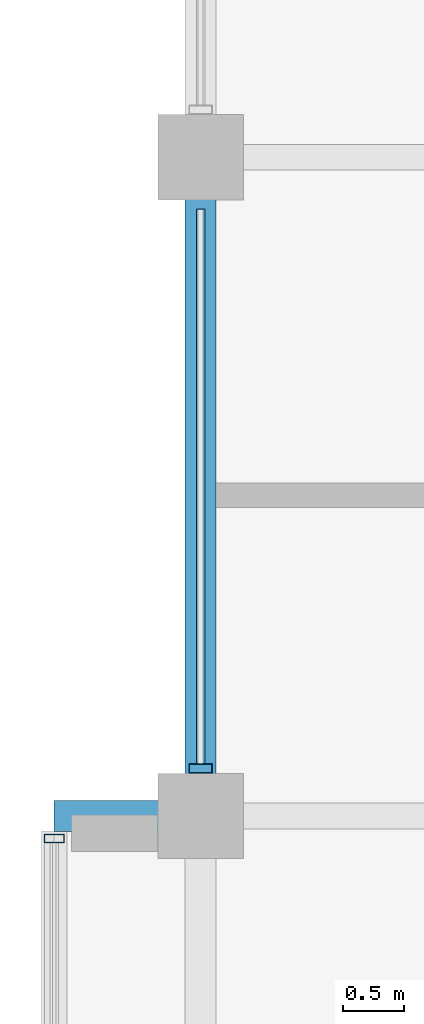
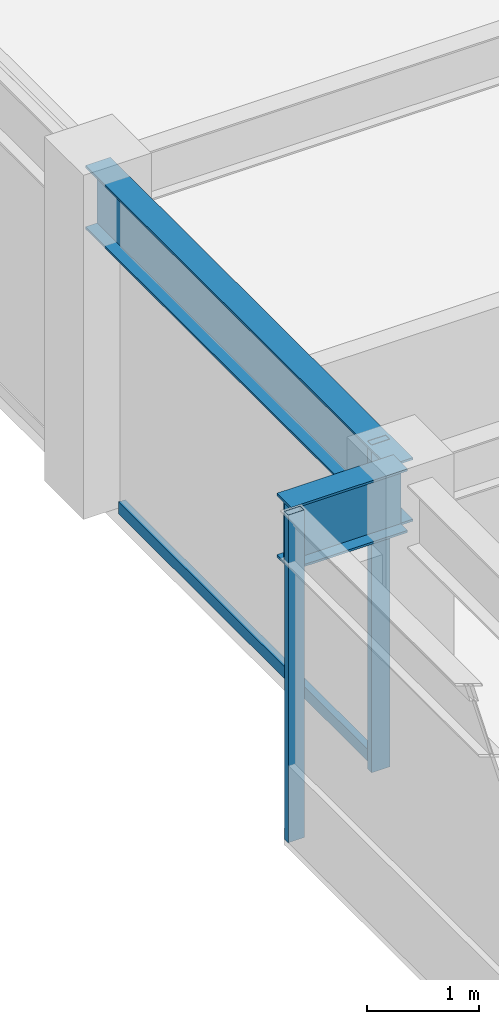
# One storey, part 10 of 32: 3 members, 2 beams, 2 elements without a shape of their own.
"""IFC4 building model written with IfcOpenShell, lengths in metres."""

from ifc_helpers import new_model, si_unit, direction, frame, origin, origin_2d, place, context, subcontext, project, spatial, hollow_rectangle, i_section, extrude, material, layer, layer_set, material_profile, profile_set, type_object, element, aggregate, save


model = new_model("IFC4")

# Units and contexts
model_context = context("Model", 3, precision=1e-05, world=origin(), true_north=direction((0.0, 1.0)))
body_context = subcontext(model_context, "Body", "Model", "MODEL_VIEW")
ifc_project = project(units=[si_unit("LENGTHUNIT", "METRE"), si_unit("AREAUNIT", "SQUARE_METRE"), si_unit("VOLUMEUNIT", "CUBIC_METRE"), si_unit("PLANEANGLEUNIT", "RADIAN"), si_unit("MASSUNIT", "GRAM", prefix="KILO")], contexts=[model_context])

# Site, building, storey
site_placement = place(None, origin())
site = spatial("IfcSite", under=ifc_project, at=site_placement, CompositionType="ELEMENT")
building_placement = place(site_placement, origin())
building = spatial("IfcBuilding", under=site, at=building_placement, Name="Surkhivell Harbour Commons", CompositionType="ELEMENT")
storey_placement = place(building_placement, frame((0.0, 0.0, 311.25)))
storey = spatial("IfcBuildingStorey", under=building, at=storey_placement, Name="L81", CompositionType="ELEMENT", Elevation=311.25)

# Beams
ifc_material_1 = material(Name="Steel S460", Category="steel")
ifc_material_profile_1 = material_profile(ifc_material_1, i_section(OverallWidth=0.256103515625, OverallDepth=0.693115234375, WebThickness=0.014404296875, FlangeThickness=0.023681640625, at=origin_2d()), Name="UB686x254x170")
ifc_profile_set_1 = profile_set([ifc_material_profile_1], Name="Steel S460")
beam_type_1 = type_object("IfcBeamType", Name="BM-CNT-686", PredefinedType="BEAM", material=ifc_profile_set_1)
beam_1_placement = place(storey_placement, frame((-27.0, 5.39990234375, 3.223388671875), z_axis=(-1.0, 0.0, 0.0), x_axis=(0.0, -1.0, 0.0)))
element("IfcBeam", 1, at=beam_1_placement, inside=storey, type_object=beam_type_1, Name="L81 Box Cantilever Outrigger (-27.0,5.4)", PredefinedType="BEAM", context=body_context, shape_type="SweptSolid", body=[
    extrude(i_section(OverallWidth=0.256103515625, OverallDepth=0.693115234375, WebThickness=0.014404296875, FlangeThickness=0.023681640625, at=origin_2d()), origin(), (0.0, 0.0, 1.0), 1.199951171875),
])
ifc_material_2 = material(Name="Steel S355", Category="steel")
ifc_material_profile_2 = material_profile(ifc_material_2, i_section(OverallWidth=0.256103515625, OverallDepth=0.693115234375, WebThickness=0.014404296875, FlangeThickness=0.023681640625, at=origin_2d()), Name="UB686x254x170")
ifc_profile_set_2 = profile_set([ifc_material_profile_2], Name="Steel S355")
beam_type_2 = type_object("IfcBeamType", Name="BM-SPN-686", PredefinedType="SPANDREL", material=ifc_profile_set_2)
beam_2_placement = place(storey_placement, frame((-27.0, 5.39990234375, 3.223388671875), z_axis=(0.0, 1.0, 0.0), x_axis=(-1.0, 0.0, 0.0)))
element("IfcBeam", 2, at=beam_2_placement, inside=storey, type_object=beam_type_2, Name="L81 Tube Spandrel (-27.0,5.4)", PredefinedType="SPANDREL", context=body_context, shape_type="SweptSolid", body=[
    extrude(i_section(OverallWidth=0.256103515625, OverallDepth=0.693115234375, WebThickness=0.014404296875, FlangeThickness=0.023681640625, at=origin_2d()), origin(), (0.0, 0.0, 1.0), 5.400146484375),
])

# Curtain wall, member
ifc_material_3 = material(Name="Anodised pale-metal aluminium and insulated glazing", Category="aluminium")
ifc_layer_1 = layer(ifc_material_3, 0.1650390625)
ifc_layer_set_1 = layer_set([ifc_layer_1], Name="Anodised pale-metal aluminium and insulated glazing")
curtain_wall_type_1 = type_object("IfcCurtainWallType", Name="CW-SYS-BOX", PredefinedType="NOTDEFINED", material=ifc_layer_set_1)
curtain_wall_1_placement = place(storey_placement, origin())
curtain_wall_1 = element("IfcCurtainWall", 3, at=curtain_wall_1_placement, inside=storey, type_object=curtain_wall_type_1, Name="L81 Curtain Wall CW-L81-BOX02", PredefinedType="NOTDEFINED")
ifc_material_4 = material(Name="Champagne anodised aluminium alloy 6063-T6", Category="aluminium")
ifc_material_profile_3 = material_profile(ifc_material_4, hollow_rectangle(XDim=0.070068359375, YDim=0.1650390625, WallThickness=0.00341796875, at=origin_2d()), Name="ALU-MULL-70x165")
ifc_profile_set_3 = profile_set([ifc_material_profile_3], Name="Champagne anodised aluminium alloy 6063-T6")
member_type_1 = type_object("IfcMemberType", Name="CWM-165", PredefinedType="MULLION", material=ifc_profile_set_3)
member_1_placement = place(storey_placement, frame((-28.199951171875, 5.215087890625, 0.0), z_axis=(0.0, 0.0, 1.0), x_axis=(0.0, 1.0, 0.0)))
member_1 = element("IfcMember", 4, at=member_1_placement, type_object=member_type_1, Name="CW-BOX mullion 3", PredefinedType="MULLION", context=body_context, shape_type="SweptSolid", body=[
    extrude(hollow_rectangle(XDim=0.070068359375, YDim=0.1650390625, WallThickness=0.00341796875, at=origin_2d()), origin(), (0.0, 0.0, 1.0), 3.570068359375),
])
aggregate(curtain_wall_1, [member_1])

# Curtain wall, members
ifc_layer_2 = layer(ifc_material_3, 0.175048828125)
ifc_layer_set_2 = layer_set([ifc_layer_2], Name="Anodised pale-metal aluminium and insulated glazing")
curtain_wall_type_2 = type_object("IfcCurtainWallType", Name="CW-SYS-Z4", PredefinedType="NOTDEFINED", material=ifc_layer_set_2)
curtain_wall_2_placement = place(storey_placement, origin())
curtain_wall_2 = element("IfcCurtainWall", 5, at=curtain_wall_2_placement, inside=storey, type_object=curtain_wall_type_2, Name="L81 Curtain Wall CW-L81-E12R2", PredefinedType="NOTDEFINED")
ifc_material_5 = material(Name="Anodised pale-metal aluminium alloy 6063-T6", Category="aluminium")
ifc_material_profile_4 = material_profile(ifc_material_5, hollow_rectangle(XDim=0.074951171875, YDim=0.18994140625, WallThickness=0.00390625, at=origin_2d()), Name="ALU-MULL-75x190")
ifc_profile_set_4 = profile_set([ifc_material_profile_4], Name="Anodised pale-metal aluminium alloy 6063-T6")
member_type_2 = type_object("IfcMemberType", Name="CWM-190", PredefinedType="MULLION", material=ifc_profile_set_4)
member_2_placement = place(storey_placement, frame((-27.0, 5.78955078125, 0.0), z_axis=(0.0, 0.0, 1.0), x_axis=(0.0, 1.0, 0.0)))
member_2 = element("IfcMember", 6, at=member_2_placement, type_object=member_type_2, Name="CW-Z4 mullion 1", PredefinedType="MULLION", context=body_context, shape_type="SweptSolid", body=[
    extrude(hollow_rectangle(XDim=0.074951171875, YDim=0.18994140625, WallThickness=0.00390625, at=origin_2d()), origin(), (0.0, 0.0, 1.0), 3.570068359375),
])
ifc_material_profile_5 = material_profile(ifc_material_4, hollow_rectangle(XDim=0.070068359375, YDim=0.1298828125, WallThickness=0.00341796875, at=origin_2d()), Name="ALU-TRAN-70x130")
ifc_profile_set_5 = profile_set([ifc_material_profile_5], Name="Champagne anodised aluminium alloy 6063-T6")
member_type_3 = type_object("IfcMemberType", Name="CWT-130", PredefinedType="USERDEFINED", material=ifc_profile_set_5)
member_3_placement = place(storey_placement, frame((-27.0, 5.826904296875, 0.06494140625), z_axis=(0.0, 1.0, 0.0), x_axis=(-1.0, 0.0, 0.0)))
member_3 = element("IfcMember", 7, at=member_3_placement, type_object=member_type_3, Name="CW-Z4 transom 1.1", ObjectType="TRANSOM", PredefinedType="USERDEFINED", context=body_context, shape_type="SweptSolid", body=[
    extrude(hollow_rectangle(XDim=0.070068359375, YDim=0.1298828125, WallThickness=0.00341796875, at=origin_2d()), origin(), (0.0, 0.0, 1.0), 4.546142578125),
])
aggregate(curtain_wall_2, [member_2, member_3])

save(model, "model.ifc")
